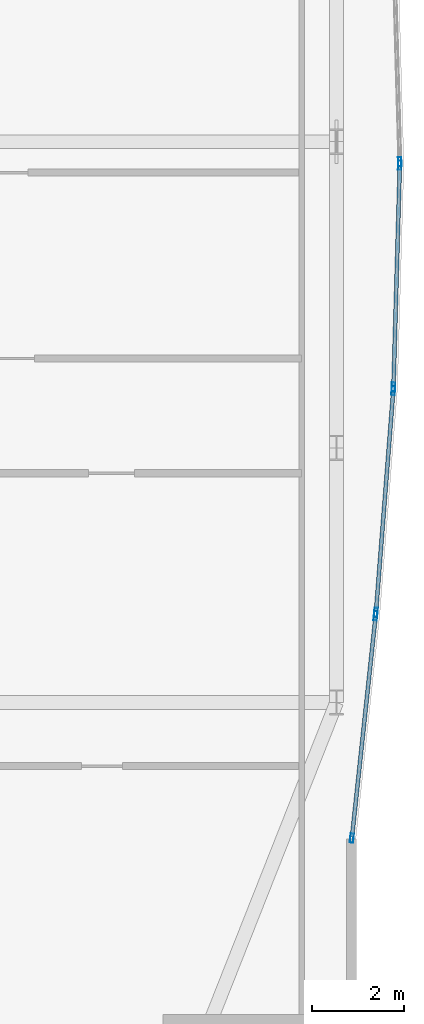
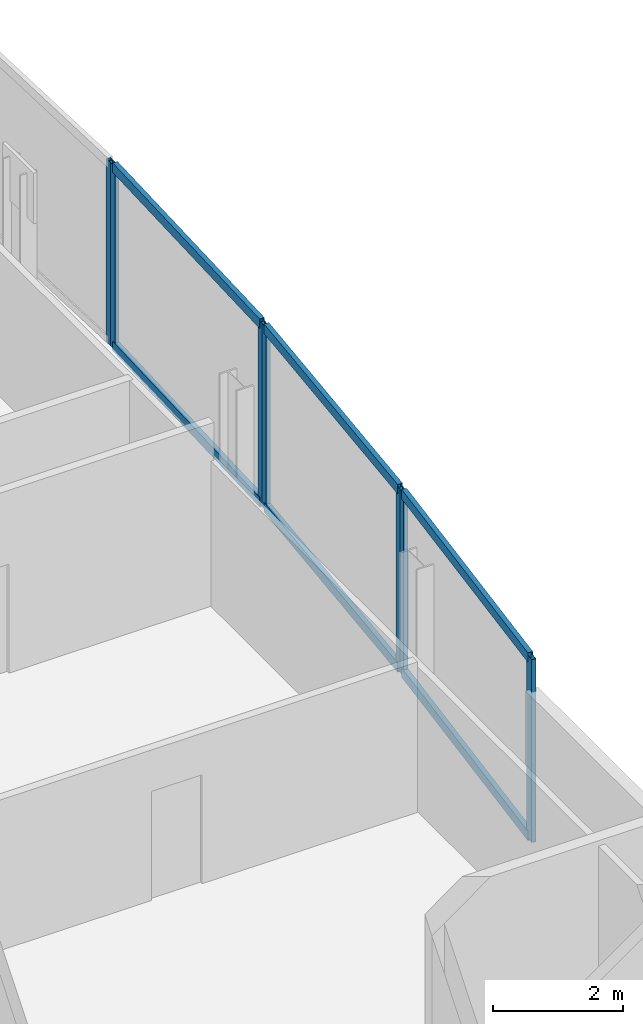
# One storey, part 21 of 29: 13 members, 4 elements without a shape of their own.
"""IFC4 building model written with IfcOpenShell, lengths in metres."""

from ifc_helpers import new_model, si_unit, direction, frame, origin, origin_2d, place, context, subcontext, project, spatial, hollow_rectangle, extrude, material, material_profile, profile_set, type_object, element, aggregate, save


model = new_model("IFC4")

# Units and contexts
model_context = context("Model", 3, precision=1e-05, world=origin(), true_north=direction((0.0, 1.0)))
body_context = subcontext(model_context, "Body", "Model", "MODEL_VIEW")
ifc_project = project(units=[si_unit("LENGTHUNIT", "METRE"), si_unit("AREAUNIT", "SQUARE_METRE"), si_unit("VOLUMEUNIT", "CUBIC_METRE"), si_unit("PLANEANGLEUNIT", "RADIAN"), si_unit("MASSUNIT", "GRAM", prefix="KILO")], contexts=[model_context])

# Site, building, storey
site_placement = place(None, origin())
site = spatial("IfcSite", under=ifc_project, at=site_placement, CompositionType="ELEMENT")
building_placement = place(site_placement, origin())
building = spatial("IfcBuilding", under=site, at=building_placement, Name="Khoronbel Lancet Exchange", CompositionType="ELEMENT")
storey_placement = place(building_placement, frame((0.0, 0.0, 143.39990234375)))
storey = spatial("IfcBuildingStorey", under=building, at=storey_placement, Name="L35", CompositionType="ELEMENT", Elevation=143.39990234375)

# Curtain wall, member
ifc_material_1 = material(Name="Low-E Solar Control Insulating Glass", Category="glass")
curtain_wall_type = type_object("IfcCurtainWallType", Name="CW-4", PredefinedType="NOTDEFINED", material=ifc_material_1)
curtain_wall_1_placement = place(storey_placement, origin())
curtain_wall_1 = element("IfcCurtainWall", 1, at=curtain_wall_1_placement, inside=storey, type_object=curtain_wall_type, Name="Unitised curtain wall CW-L35-E19", PredefinedType="NOTDEFINED")
ifc_material_2 = material(Name="Bronze-Anodised Aluminium 6063-T6", Category="aluminium")
ifc_material_profile_1 = material_profile(ifc_material_2, hollow_rectangle(XDim=0.074951171875, YDim=0.199951171875, WallThickness=0.0048828125, at=origin_2d()), Name="ALU MULLION 75x200")
ifc_profile_set_1 = profile_set([ifc_material_profile_1], Name="Bronze-Anodised Aluminium 6063-T6")
member_type_1 = type_object("IfcMemberType", Name="MEM-CWM2", PredefinedType="MULLION", material=ifc_profile_set_1)
member_1_placement = place(storey_placement, frame((69.009033203125, 30.987548828125, 0.0), z_axis=(0.0, 0.0, 1.0), x_axis=(0.999590574553, 0.028612641702, 0.0)))
member_1 = element("IfcMember", 2, at=member_1_placement, type_object=member_type_1, Name="CW4 mullion 2", PredefinedType="MULLION", context=body_context, shape_type="SweptSolid", body=[
    extrude(hollow_rectangle(XDim=0.074951171875, YDim=0.199951171875, WallThickness=0.0048828125, at=origin_2d()), origin(), (0.0, 0.0, 1.0), 3.440185546875),
])
aggregate(curtain_wall_1, [member_1])

# Curtain wall, members
curtain_wall_2_placement = place(storey_placement, origin())
curtain_wall_2 = element("IfcCurtainWall", 3, at=curtain_wall_2_placement, inside=storey, type_object=curtain_wall_type, Name="Unitised curtain wall CW-L35-E20", PredefinedType="NOTDEFINED")
member_2_placement = place(storey_placement, frame((69.009033203125, 30.91259765625, 0.0), z_axis=(0.0, 0.0, 1.0), x_axis=(0.999590574553, -0.028612641702, 0.0)))
member_2 = element("IfcMember", 4, at=member_2_placement, type_object=member_type_1, Name="CW4 mullion 1", PredefinedType="MULLION", context=body_context, shape_type="SweptSolid", body=[
    extrude(hollow_rectangle(XDim=0.074951171875, YDim=0.199951171875, WallThickness=0.0048828125, at=origin_2d()), origin(), (0.0, 0.0, 1.0), 3.440185546875),
])
member_3_placement = place(storey_placement, frame((68.870361328125, 26.07568359375, 0.0), z_axis=(0.0, 0.0, 1.0), x_axis=(0.999590574553, -0.028612641702, 0.0)))
member_3 = element("IfcMember", 5, at=member_3_placement, type_object=member_type_1, Name="CW4 mullion 2", PredefinedType="MULLION", context=body_context, shape_type="SweptSolid", body=[
    extrude(hollow_rectangle(XDim=0.074951171875, YDim=0.199951171875, WallThickness=0.0048828125, at=origin_2d()), origin(), (0.0, 0.0, 1.0), 3.440185546875),
])

curtain_wall_3_placement = place(storey_placement, origin())
curtain_wall_3 = element("IfcCurtainWall", 6, at=curtain_wall_3_placement, inside=storey, type_object=curtain_wall_type, Name="Unitised curtain wall CW-L35-E21", PredefinedType="NOTDEFINED")
member_4_placement = place(storey_placement, frame((68.866455078125, 26.000732421875, 0.0), z_axis=(0.0, 0.0, 1.0), x_axis=(0.996959555693, -0.077920756627, 0.0)))
member_4 = element("IfcMember", 7, at=member_4_placement, type_object=member_type_1, Name="CW4 mullion 1", PredefinedType="MULLION", context=body_context, shape_type="SweptSolid", body=[
    extrude(hollow_rectangle(XDim=0.074951171875, YDim=0.199951171875, WallThickness=0.0048828125, at=origin_2d()), origin(), (0.0, 0.0, 1.0), 3.440185546875),
])
member_5_placement = place(storey_placement, frame((68.48828125, 21.162353515625, 0.0), z_axis=(0.0, 0.0, 1.0), x_axis=(0.996959555693, -0.077920756627, 0.0)))
member_5 = element("IfcMember", 8, at=member_5_placement, type_object=member_type_1, Name="CW4 mullion 2", PredefinedType="MULLION", context=body_context, shape_type="SweptSolid", body=[
    extrude(hollow_rectangle(XDim=0.074951171875, YDim=0.199951171875, WallThickness=0.0048828125, at=origin_2d()), origin(), (0.0, 0.0, 1.0), 3.440185546875),
])

curtain_wall_4_placement = place(storey_placement, origin())
curtain_wall_4 = element("IfcCurtainWall", 9, at=curtain_wall_4_placement, inside=storey, type_object=curtain_wall_type, Name="Unitised curtain wall CW-L35-E22", PredefinedType="NOTDEFINED")
member_6_placement = place(storey_placement, frame((68.4814453125, 21.087646484375, 0.0), z_axis=(0.0, 0.0, 1.0), x_axis=(0.994346859972, -0.106180610586, 0.0)))
member_6 = element("IfcMember", 10, at=member_6_placement, type_object=member_type_1, Name="CW4 mullion 1", PredefinedType="MULLION", context=body_context, shape_type="SweptSolid", body=[
    extrude(hollow_rectangle(XDim=0.074951171875, YDim=0.199951171875, WallThickness=0.0048828125, at=origin_2d()), origin(), (0.0, 0.0, 1.0), 3.440185546875),
])
member_7_placement = place(storey_placement, frame((67.9638671875, 16.2421875, 0.0), z_axis=(0.0, 0.0, 1.0), x_axis=(0.994346859972, -0.106180610586, 0.0)))
member_7 = element("IfcMember", 11, at=member_7_placement, type_object=member_type_1, Name="CW4 mullion 2", PredefinedType="MULLION", context=body_context, shape_type="SweptSolid", body=[
    extrude(hollow_rectangle(XDim=0.074951171875, YDim=0.199951171875, WallThickness=0.0048828125, at=origin_2d()), origin(), (0.0, 0.0, 1.0), 3.440185546875),
])

# Member
ifc_material_profile_2 = material_profile(ifc_material_2, hollow_rectangle(XDim=0.0849609375, YDim=0.179931640625, WallThickness=0.0048828125, at=origin_2d()), Name="ALU TRANSOM 85x180")
ifc_profile_set_2 = profile_set([ifc_material_profile_2], Name="Bronze-Anodised Aluminium 6063-T6")
member_type_2 = type_object("IfcMemberType", Name="MEM-CWT1", PredefinedType="USERDEFINED", material=ifc_profile_set_2)
member_8_placement = place(storey_placement, frame((69.0078125, 30.875, 0.04248046875), z_axis=(-0.028596349692, -0.999591040768, 0.0), x_axis=(0.999591040768, -0.028596349692, 0.0)))
member_8 = element("IfcMember", 12, at=member_8_placement, type_object=member_type_2, Name="CW4 transom 1.1", ObjectType="TRANSOM", PredefinedType="USERDEFINED", context=body_context, shape_type="SweptSolid", body=[
    extrude(hollow_rectangle(XDim=0.0849609375, YDim=0.179931640625, WallThickness=0.0048828125, at=origin_2d()), origin(), (0.0, 0.0, 1.0), 4.763916015625),
])

member_9_placement = place(storey_placement, frame((69.0078125, 30.875, 3.397705078125), z_axis=(-0.028596349692, -0.999591040768, 0.0), x_axis=(0.999591040768, -0.028596349692, 0.0)))
member_9 = element("IfcMember", 13, at=member_9_placement, type_object=member_type_2, Name="CW4 transom 1.2", ObjectType="TRANSOM", PredefinedType="USERDEFINED", context=body_context, shape_type="SweptSolid", body=[
    extrude(hollow_rectangle(XDim=0.0849609375, YDim=0.179931640625, WallThickness=0.0048828125, at=origin_2d()), origin(), (0.0, 0.0, 1.0), 4.763916015625),
])

aggregate(curtain_wall_2, [member_2, member_3, member_8, member_9])

member_10_placement = place(storey_placement, frame((68.863525390625, 25.96337890625, 0.04248046875), z_axis=(-0.077919407709, -0.996959661121, 0.0), x_axis=(0.996959661121, -0.077919407709, 0.0)))
member_10 = element("IfcMember", 14, at=member_10_placement, type_object=member_type_2, Name="CW4 transom 1.1", ObjectType="TRANSOM", PredefinedType="USERDEFINED", context=body_context, shape_type="SweptSolid", body=[
    extrude(hollow_rectangle(XDim=0.0849609375, YDim=0.179931640625, WallThickness=0.0048828125, at=origin_2d()), origin(), (0.0, 0.0, 1.0), 4.7783203125),
])

member_11_placement = place(storey_placement, frame((68.863525390625, 25.96337890625, 3.397705078125), z_axis=(-0.077919407709, -0.996959661121, 0.0), x_axis=(0.996959661121, -0.077919407709, 0.0)))
member_11 = element("IfcMember", 15, at=member_11_placement, type_object=member_type_2, Name="CW4 transom 1.2", ObjectType="TRANSOM", PredefinedType="USERDEFINED", context=body_context, shape_type="SweptSolid", body=[
    extrude(hollow_rectangle(XDim=0.0849609375, YDim=0.179931640625, WallThickness=0.0048828125, at=origin_2d()), origin(), (0.0, 0.0, 1.0), 4.7783203125),
])

aggregate(curtain_wall_3, [member_4, member_5, member_10, member_11])

member_12_placement = place(storey_placement, frame((68.4775390625, 21.050537109375, 0.04248046875), z_axis=(-0.106186389442, -0.994346242864, 0.0), x_axis=(0.994346242864, -0.106186389442, 0.0)))
member_12 = element("IfcMember", 16, at=member_12_placement, type_object=member_type_2, Name="CW4 transom 1.1", ObjectType="TRANSOM", PredefinedType="USERDEFINED", context=body_context, shape_type="SweptSolid", body=[
    extrude(hollow_rectangle(XDim=0.0849609375, YDim=0.179931640625, WallThickness=0.0048828125, at=origin_2d()), origin(), (0.0, 0.0, 1.0), 4.79833984375),
])

member_13_placement = place(storey_placement, frame((68.4775390625, 21.050537109375, 3.397705078125), z_axis=(-0.106186389442, -0.994346242864, 0.0), x_axis=(0.994346242864, -0.106186389442, 0.0)))
member_13 = element("IfcMember", 17, at=member_13_placement, type_object=member_type_2, Name="CW4 transom 1.2", ObjectType="TRANSOM", PredefinedType="USERDEFINED", context=body_context, shape_type="SweptSolid", body=[
    extrude(hollow_rectangle(XDim=0.0849609375, YDim=0.179931640625, WallThickness=0.0048828125, at=origin_2d()), origin(), (0.0, 0.0, 1.0), 4.79833984375),
])

aggregate(curtain_wall_4, [member_6, member_7, member_12, member_13])

save(model, "model.ifc")
